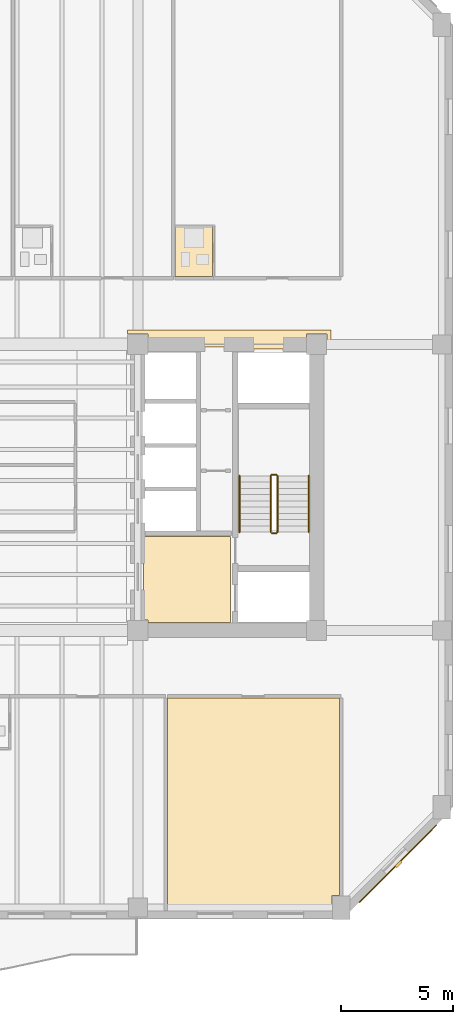
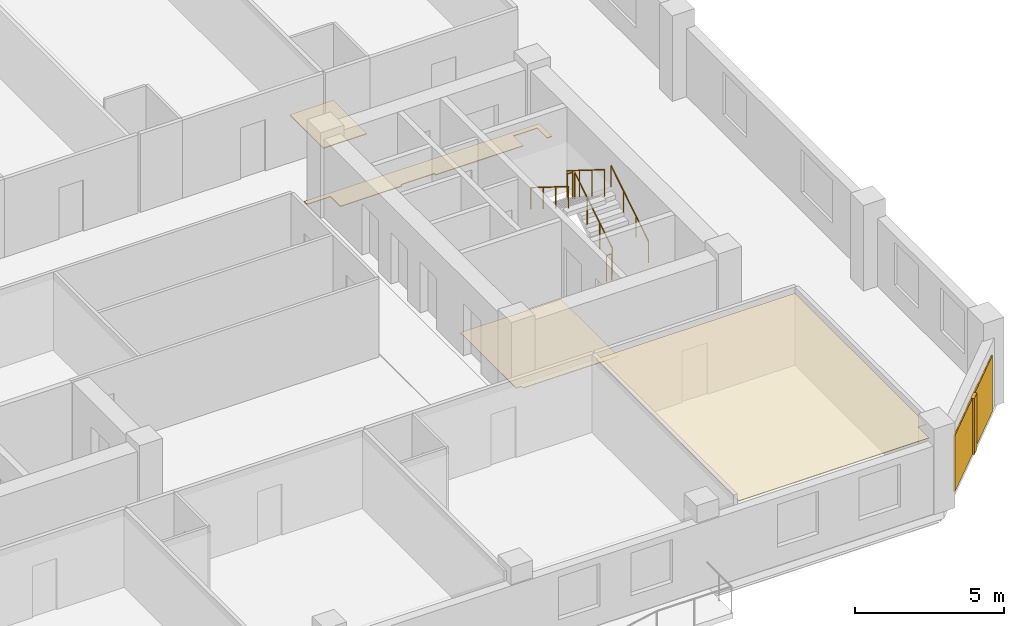
# One storey, part 9 of 11: 6 railings, 5 coverings, 1 shading device.
"""IFC4 building model written with IfcOpenShell, lengths in metres."""

import ifcopenshell
import ifcopenshell.guid

model = None  # the IFC model being written
_history = None  # IfcOwnerHistory: only IFC2X3 demands one
_inside = {}  # id of a spatial element -> (the spatial element, [elements in it])
_under = {}  # id of a project, library or spatial element -> (it, [spatial elements below it])
_declared = {}  # id of a project -> (the project, [libraries it declares])
_typed = {}  # id of a type object -> (the type object, [elements of that type])
_made_of = {}  # id of a material, layer set ... -> (it, [elements and type objects made of it])


def new_model(schema):
    """Start an empty IFC model of exactly this schema.

    Asked for "IFC4X3", IfcOpenShell would pick the latest addendum, in which some entities
    have other attributes; the version numbers below select the first issue.
    IFC2X3 requires an IfcOwnerHistory on every rooted entity: one is made here for all.
    """
    global model, _history
    if schema == "IFC4X3":
        model = ifcopenshell.file(schema_version=(4, 3, 0, 0))
    else:
        model = ifcopenshell.file(schema=schema)
    _inside.clear()
    _under.clear()
    _declared.clear()
    _typed.clear()
    _made_of.clear()
    _history = None
    if model.schema == "IFC2X3":
        org = make("IfcOrganization", Name="unknown")
        user = make(
            "IfcPersonAndOrganization",
            ThePerson=make("IfcPerson", FamilyName="unknown"),
            TheOrganization=org,
        )
        app = make(
            "IfcApplication",
            ApplicationDeveloper=org,
            Version="unknown",
            ApplicationFullName="unknown",
            ApplicationIdentifier="unknown",
        )
        _history = make(
            "IfcOwnerHistory",
            OwningUser=user,
            OwningApplication=app,
            ChangeAction="ADDED",
            CreationDate=0,
        )
    return model


def make(cls, **values):
    """One entity of the class cls with the attributes given. An attribute that is None is left unset."""
    return model.create_entity(
        cls, **{name: value for name, value in values.items() if value is not None}
    )


def rooted(cls, **values):
    """An entity with a GlobalId (a new one), such as an element, a storey or a relation."""
    return make(cls, GlobalId=ifcopenshell.guid.new(), OwnerHistory=_history, **values)


def si_unit(unit_type, name, prefix=None):
    """IfcSIUnit, for example si_unit("LENGTHUNIT", "METRE", prefix="MILLI")."""
    return make("IfcSIUnit", UnitType=unit_type, Prefix=prefix, Name=name)


def assignment(units):
    """IfcUnitAssignment: the units of a project."""
    return None if units is None else make("IfcUnitAssignment", Units=units)


def point(xyz):
    """IfcCartesianPoint."""
    return None if xyz is None else make("IfcCartesianPoint", Coordinates=xyz)


def direction(xyz):
    """IfcDirection."""
    return None if xyz is None else make("IfcDirection", DirectionRatios=xyz)


def frame(location, z_axis=None, x_axis=None):
    """IfcAxis2Placement3D, a coordinate frame: its origin and axes. An axis left out is left unset."""
    return make(
        "IfcAxis2Placement3D",
        Location=point(location),
        Axis=direction(z_axis),
        RefDirection=direction(x_axis),
    )


def frame_2d(location, x_axis=None):
    """IfcAxis2Placement2D, a coordinate frame in the plane: its origin and x axis."""
    return make(
        "IfcAxis2Placement2D", Location=point(location), RefDirection=direction(x_axis)
    )


def origin():
    """The frame at (0, 0, 0) with its axes left unset."""
    return frame((0.0, 0.0, 0.0))


def origin_2d():
    """The frame at (0, 0) in the plane with its x axis left unset."""
    return frame_2d((0.0, 0.0))


def place(relative_to, where):
    """IfcLocalPlacement: puts the frame where relative to a parent placement (None: the world)."""
    return make(
        "IfcLocalPlacement", PlacementRelTo=relative_to, RelativePlacement=where
    )


def context(
    kind, dimensions, precision=None, world=None, true_north=None, identifier=None
):
    """IfcGeometricRepresentationContext, for example the 3D "Model" context."""
    return make(
        "IfcGeometricRepresentationContext",
        ContextIdentifier=identifier,
        ContextType=kind,
        CoordinateSpaceDimension=dimensions,
        Precision=precision,
        WorldCoordinateSystem=world,
        TrueNorth=true_north,
    )


def subcontext(parent, identifier, kind, view, scale=None):
    """IfcGeometricRepresentationSubContext, for example "Body" below "Model"."""
    return make(
        "IfcGeometricRepresentationSubContext",
        ContextIdentifier=identifier,
        ContextType=kind,
        ParentContext=parent,
        TargetScale=scale,
        TargetView=view,
    )


def project(units=None, contexts=None):
    """IfcProject with its units and contexts."""
    return rooted(
        "IfcProject",
        Name="project",
        RepresentationContexts=contexts,
        UnitsInContext=assignment(units),
    )


def spatial(cls, under=None, at=None, **own):
    """A site, building, storey or space (cls), placed at a placement, below another one or the project."""
    s = rooted(cls, ObjectPlacement=at, **own)
    if under is not None:
        _under.setdefault(under.id(), (under, []))[1].append(s)
    return s


def polyline(points):
    """IfcPolyline through the points."""
    return make("IfcPolyline", Points=[point(p) for p in points])


def profile(cls, at=None, kind="AREA", **sizes):
    """A parametric profile (cls). Its sizes go by their IFC names, for example OverallWidth=200.0."""
    return make(cls, ProfileType=kind, Position=at, **sizes)


def rectangle(**sizes):
    """IfcRectangleProfileDef."""
    return profile("IfcRectangleProfileDef", **sizes)


def circle(**sizes):
    """IfcCircleProfileDef."""
    return profile("IfcCircleProfileDef", **sizes)


def outline(outer, holes=None, kind="AREA"):
    """IfcArbitraryClosedProfileDef: a profile drawn as a closed curve; with holes, ...WithVoids."""
    if holes is None:
        return make("IfcArbitraryClosedProfileDef", ProfileType=kind, OuterCurve=outer)
    return make(
        "IfcArbitraryProfileDefWithVoids",
        ProfileType=kind,
        OuterCurve=outer,
        InnerCurves=holes,
    )


def extrude(swept, where, along, depth):
    """IfcExtrudedAreaSolid: the profile swept, set in the frame where, extruded along a direction by depth."""
    return make(
        "IfcExtrudedAreaSolid",
        SweptArea=swept,
        Position=where,
        ExtrudedDirection=direction(along),
        Depth=depth,
    )


def shape(context_of_items, identifier, shape_type, items):
    """IfcShapeRepresentation: the items that make up one representation, for example the "Body"."""
    return make(
        "IfcShapeRepresentation",
        ContextOfItems=context_of_items,
        RepresentationIdentifier=identifier,
        RepresentationType=shape_type,
        Items=items,
    )


def material(Name=None, Category=None):
    """IfcMaterial."""
    return make("IfcMaterial", Name=Name, Category=Category)


def layer(
    of_material, thickness, ventilated=None, Name=None, Category=None, Priority=None
):
    """IfcMaterialLayer: one layer of a wall or slab, of a material (None: an air gap)."""
    return make(
        "IfcMaterialLayer",
        Material=of_material,
        LayerThickness=thickness,
        IsVentilated=ventilated,
        Name=Name,
        Category=Category,
        Priority=Priority,
    )


def layer_set(layers, Name=None):
    """IfcMaterialLayerSet."""
    return make("IfcMaterialLayerSet", MaterialLayers=layers, LayerSetName=Name)


def made_of(thing, what):
    """Note that an element or type object is made of a material, layer set ...; save() writes the relation."""
    if what is not None:
        _made_of.setdefault(what.id(), (what, []))[1].append(thing)
    return thing


def type_object(cls, material=None, **own):
    """A type object (cls), such as IfcWallType, which elements share."""
    return made_of(rooted(cls, **own), material)


def element(
    cls,
    number,
    at=None,
    inside=None,
    cuts=None,
    type_object=None,
    material=None,
    context=None,
    identifier="Body",
    shape_type=None,
    held_by="IfcProductDefinitionShape",
    body=None,
    shapes=None,
    **own,
):
    """One element of the class cls, such as IfcWall. Its Tag is "e" and its number.

    at: its placement. inside: the storey or other place that contains it. cuts: it is an
    opening in that element (IfcRelVoidsElement). A single representation is given by context,
    identifier, shape_type and body (its items); several are given by shapes. held_by: the class
    of the entity that holds the representations. save() writes the other relations.
    """
    e = rooted(cls, Tag="e%d" % number, ObjectPlacement=at, **own)
    if body is not None:
        shapes = [shape(context, identifier, shape_type, body)]
    if shapes is not None:
        e.Representation = make(held_by, Representations=shapes)
    if inside is not None:
        _inside.setdefault(inside.id(), (inside, []))[1].append(e)
    if cuts is not None:
        rooted(
            "IfcRelVoidsElement", RelatingBuildingElement=cuts, RelatedOpeningElement=e
        )
    if type_object is not None:
        _typed.setdefault(type_object.id(), (type_object, []))[1].append(e)
    return made_of(e, material)


def aggregate(whole, parts):
    """IfcRelAggregates: a whole, such as a stair, and the parts it consists of."""
    return rooted("IfcRelAggregates", RelatingObject=whole, RelatedObjects=parts)


def save(model, path):
    """Write the relations noted so far, then the file.

    IfcRelAggregates (storeys below a building ...), IfcRelContainedInSpatialStructure (elements
    in a storey), IfcRelDefinesByType, IfcRelAssociatesMaterial and IfcRelDeclares: one each for
    every whole, place, type object, material and project.
    """
    for whole, parts in _under.values():
        aggregate(whole, parts)
    for where, things in _inside.values():
        rooted(
            "IfcRelContainedInSpatialStructure",
            RelatedElements=things,
            RelatingStructure=where,
        )
    for kind, things in _typed.values():
        rooted("IfcRelDefinesByType", RelatedObjects=things, RelatingType=kind)
    for what, things in _made_of.values():
        rooted("IfcRelAssociatesMaterial", RelatedObjects=things, RelatingMaterial=what)
    for by, libraries in _declared.values():
        rooted("IfcRelDeclares", RelatingContext=by, RelatedDefinitions=libraries)
    model.write(path)


model = new_model("IFC4")

# Units and contexts
model_context = context("Model", 3, precision=1e-05, world=origin(), true_north=direction((0.0, 1.0)))
body_context = subcontext(model_context, "Body", "Model", "MODEL_VIEW")
ifc_project = project(units=[si_unit("LENGTHUNIT", "METRE"), si_unit("AREAUNIT", "SQUARE_METRE"), si_unit("VOLUMEUNIT", "CUBIC_METRE"), si_unit("PLANEANGLEUNIT", "RADIAN"), si_unit("MASSUNIT", "GRAM", prefix="KILO")], contexts=[model_context])

# Site, building, storey
site_placement = place(None, origin())
site = spatial("IfcSite", under=ifc_project, at=site_placement, CompositionType="ELEMENT")
building_placement = place(site_placement, origin())
building = spatial("IfcBuilding", under=site, at=building_placement, Name="Kranthara Brick Stack", CompositionType="ELEMENT")
storey_placement = place(building_placement, frame((0.0, 0.0, 190.300048828125)))
storey = spatial("IfcBuildingStorey", under=building, at=storey_placement, Name="L49", CompositionType="ELEMENT", Elevation=190.300048828125)

# Coverings
ifc_material_1 = material(Name="Perforated mineral-fibre acoustic ceiling tile", Category="other")
ifc_layer_1 = layer(ifc_material_1, 0.02490234375)
ifc_layer_set_1 = layer_set([ifc_layer_1], Name="Perforated mineral-fibre acoustic ceiling tile")
covering_type_1 = type_object("IfcCoveringType", Name="COV-CEIL-ACOUSTIC", PredefinedType="CEILING", material=ifc_layer_set_1)
covering_1_placement = place(storey_placement, frame((0.0, 0.0, 2.929931640625)))
element("IfcCovering", 1, at=covering_1_placement, inside=storey, type_object=covering_type_1, Name="L49 L49 Guest Sky Lounge 4 Acoustic Ceiling", PredefinedType="CEILING", context=body_context, shape_type="SweptSolid", body=[
    extrude(outline(polyline([(36.52587890625, 8.199951171875), (36.52587890625, 17.77001953125), (44.219970703125, 17.77001953125), (44.219970703125, 8.93505859375), (43.889892578125, 8.93505859375), (43.889892578125, 8.199951171875), (36.52587890625, 8.199951171875)])), origin(), (0.0, 0.0, 1.0), 0.02490234375),
])
ifc_material_2 = material(Name="Warm buff kiln-fired brick slip rainscreen", Category="masonry")
ifc_layer_2 = layer(ifc_material_2, 0.044921875)
ifc_layer_set_2 = layer_set([ifc_layer_2], Name="Warm buff kiln-fired brick slip rainscreen")
covering_type_2 = type_object("IfcCoveringType", Name="COV-CLAD-BRICK", PredefinedType="CLADDING", material=ifc_layer_set_2)
covering_2_placement = place(storey_placement, frame((46.84033203125, 10.359619140625, 0.0498046875), z_axis=(0.0, 0.0, 1.0), x_axis=(-0.707106781187, -0.707106781187, 0.0)))
element("IfcCovering", 2, at=covering_2_placement, inside=storey, type_object=covering_type_2, Name="L49 Chamfer Brick Rainscreen Cladding SE", PredefinedType="CLADDING", context=body_context, shape_type="SweptSolid", body=[
    extrude(rectangle(XDim=4.89306640625, YDim=0.044921875, at=origin_2d()), origin(), (0.0, 0.0, 1.0), 2.300048828125),
])
ifc_material_3 = material(Name="Honed terrazzo and porcelain floor finish", Category="stone")
ifc_layer_3 = layer(ifc_material_3, 0.030029296875)
ifc_layer_set_3 = layer_set([ifc_layer_3], Name="Honed terrazzo and porcelain floor finish")
covering_type_3 = type_object("IfcCoveringType", Name="COV-FLOR-STONE", PredefinedType="FLOORING", material=ifc_layer_set_3)
covering_3_placement = place(storey_placement, origin())
element("IfcCovering", 3, at=covering_3_placement, inside=storey, type_object=covering_type_3, Name="L49 Lift Lobby Stone Flooring", PredefinedType="FLOORING", context=body_context, shape_type="SweptSolid", body=[
    extrude(outline(polyline([(35.449951171875, 25.0), (39.35009765625, 25.0), (39.35009765625, 21.14990234375), (35.659912109375, 21.14990234375), (35.659912109375, 21.260009765625), (35.449951171875, 21.260009765625), (35.449951171875, 25.0)])), origin(), (0.0, 0.0, 1.0), 0.030029296875),
])
covering_4_placement = place(storey_placement, origin())
element("IfcCovering", 4, at=covering_4_placement, inside=storey, type_object=covering_type_3, Name="L49 Lift Lobby Stone Flooring", PredefinedType="FLOORING", context=body_context, shape_type="SweptSolid", body=[
    extrude(outline(polyline([(43.659912109375, 33.39990234375), (43.659912109375, 34.06005859375), (42.739990234375, 34.06005859375), (42.739990234375, 33.39990234375), (39.35009765625, 33.39990234375), (39.35009765625, 33.47998046875), (38.050048828125, 33.47998046875), (38.050048828125, 33.39990234375), (35.659912109375, 33.39990234375), (35.659912109375, 34.06005859375), (34.75, 34.06005859375), (34.75, 34.25), (43.85009765625, 34.25), (43.85009765625, 33.39990234375), (43.659912109375, 33.39990234375)])), origin(), (0.0, 0.0, 1.0), 0.030029296875),
])
covering_5_placement = place(storey_placement, origin())
element("IfcCovering", 5, at=covering_5_placement, inside=storey, type_object=covering_type_3, Name="L49 Wet Room Porcelain Flooring", PredefinedType="FLOORING", context=body_context, shape_type="SweptSolid", body=[
    extrude(outline(polyline([(36.866943359375, 36.6298828125), (36.866943359375, 38.8798828125), (38.550048828125, 38.8798828125), (38.550048828125, 36.6298828125), (36.866943359375, 36.6298828125)])), origin(), (0.0, 0.0, 1.0), 0.030029296875),
])

# Railings
ifc_material_4 = material(Name="Painted galvanized steel stair guardrail", Category="steel")
railing_type_1 = type_object("IfcRailingType", Name="RL-STAIR-GUARD-1100", PredefinedType="GUARDRAIL", material=ifc_material_4)
railing_1_placement = place(storey_placement, frame((41.449951171875, 25.199951171875, 0.175048828125)))
element("IfcRailing", 6, at=railing_1_placement, inside=storey, type_object=railing_type_1, Name="L49 ST02 stair guard 1", PredefinedType="GUARDRAIL", context=body_context, shape_type="SweptSolid", body=[
    extrude(circle(Radius=0.02392578125, at=origin_2d()), frame((0.0, 0.0, 1.076171875), z_axis=(0.0, 0.848007534815, 0.529984170421), x_axis=(-1.0, 0.0, 0.0)), (0.0, 0.0, 1.0), 2.9716796875),
    extrude(circle(Radius=0.02099609375, at=origin_2d()), origin(), (0.0, 0.0, 1.0), 1.052001953125),
    extrude(circle(Radius=0.02099609375, at=origin_2d()), frame((0.0, 0.840087890625, 0.52490234375)), (0.0, 0.0, 1.0), 1.052001953125),
    extrude(circle(Radius=0.02099609375, at=origin_2d()), frame((0.0, 1.679931640625, 1.050048828125)), (0.0, 0.0, 1.0), 1.052001953125),
    extrude(circle(Radius=0.02099609375, at=origin_2d()), frame((0.0, 2.52001953125, 1.574951171875)), (0.0, 0.0, 1.0), 1.052001953125),
])
railing_2_placement = place(storey_placement, frame((41.39990234375, 27.77001953125, 1.75)))
element("IfcRailing", 7, at=railing_2_placement, inside=storey, type_object=railing_type_1, Name="L49 ST02 stair guard 2", PredefinedType="GUARDRAIL", context=body_context, shape_type="SweptSolid", body=[
    extrude(circle(Radius=0.02392578125, at=origin_2d()), frame((0.0, 0.0, 1.076171875), z_axis=(-1.0, 0.0, 0.0), x_axis=(0.0, -1.0, 0.0)), (0.0, 0.0, 1.0), 0.199951171875),
    extrude(circle(Radius=0.02099609375, at=origin_2d()), origin(), (0.0, 0.0, 1.0), 1.052001953125),
    extrude(circle(Radius=0.02099609375, at=origin_2d()), frame((-0.199951171875, 0.0, 0.0)), (0.0, 0.0, 1.0), 1.052001953125),
])
railing_3_placement = place(storey_placement, frame((41.14990234375, 27.719970703125, 1.925048828125)))
element("IfcRailing", 8, at=railing_3_placement, inside=storey, type_object=railing_type_1, Name="L49 ST02 stair guard 3", PredefinedType="GUARDRAIL", context=body_context, shape_type="SweptSolid", body=[
    extrude(circle(Radius=0.02392578125, at=origin_2d()), frame((0.0, 0.0, 1.076171875), z_axis=(0.0, -0.848007534815, 0.529984170421), x_axis=(1.0, 0.0, 0.0)), (0.0, 0.0, 1.0), 2.9716796875),
    extrude(circle(Radius=0.02099609375, at=origin_2d()), origin(), (0.0, 0.0, 1.0), 1.052001953125),
    extrude(circle(Radius=0.02099609375, at=origin_2d()), frame((0.0, -0.840087890625, 0.52490234375)), (0.0, 0.0, 1.0), 1.052001953125),
    extrude(circle(Radius=0.02099609375, at=origin_2d()), frame((0.0, -1.679931640625, 1.050048828125)), (0.0, 0.0, 1.0), 1.052001953125),
    extrude(circle(Radius=0.02099609375, at=origin_2d()), frame((0.0, -2.52001953125, 1.574951171875)), (0.0, 0.0, 1.0), 1.052001953125),
])
railing_4_placement = place(storey_placement, frame((41.39990234375, 25.14990234375, 0.0)))
element("IfcRailing", 9, at=railing_4_placement, inside=storey, type_object=railing_type_1, Name="L49 ST02 stair guard 4", PredefinedType="GUARDRAIL", context=body_context, shape_type="SweptSolid", body=[
    extrude(circle(Radius=0.02392578125, at=origin_2d()), frame((0.0, 0.0, 1.076171875), z_axis=(-1.0, 0.0, 0.0), x_axis=(0.0, -1.0, 0.0)), (0.0, 0.0, 1.0), 0.199951171875),
    extrude(circle(Radius=0.02099609375, at=origin_2d()), origin(), (0.0, 0.0, 1.0), 1.052001953125),
    extrude(circle(Radius=0.02099609375, at=origin_2d()), frame((-0.199951171875, 0.0, 0.0)), (0.0, 0.0, 1.0), 1.052001953125),
])
ifc_material_5 = material(Name="Brushed stainless steel tubular handrail", Category="steel")
railing_type_2 = type_object("IfcRailingType", Name="RL-STAIR-HAND-900", PredefinedType="HANDRAIL", material=ifc_material_5)
railing_5_placement = place(storey_placement, frame((42.85009765625, 25.199951171875, 0.175048828125)))
element("IfcRailing", 10, at=railing_5_placement, inside=storey, type_object=railing_type_2, Name="L49 ST02 stair handrail 1", PredefinedType="HANDRAIL", context=body_context, shape_type="SweptSolid", body=[
    extrude(circle(Radius=0.02392578125, at=origin_2d()), frame((0.0, 0.0, 0.8759765625), z_axis=(0.0, 0.848007534815, 0.529984170421), x_axis=(-1.0, 0.0, 0.0)), (0.0, 0.0, 1.0), 2.9716796875),
    extrude(circle(Radius=0.02099609375, at=origin_2d()), origin(), (0.0, 0.0, 1.0), 0.851806640625),
    extrude(circle(Radius=0.02099609375, at=origin_2d()), frame((0.0, 0.840087890625, 0.52490234375)), (0.0, 0.0, 1.0), 0.851806640625),
    extrude(circle(Radius=0.02099609375, at=origin_2d()), frame((0.0, 1.679931640625, 1.050048828125)), (0.0, 0.0, 1.0), 0.851806640625),
    extrude(circle(Radius=0.02099609375, at=origin_2d()), frame((0.0, 2.52001953125, 1.574951171875)), (0.0, 0.0, 1.0), 0.851806640625),
])
railing_6_placement = place(storey_placement, frame((39.75, 27.719970703125, 1.925048828125)))
element("IfcRailing", 11, at=railing_6_placement, inside=storey, type_object=railing_type_2, Name="L49 ST02 stair handrail 2", PredefinedType="HANDRAIL", context=body_context, shape_type="SweptSolid", body=[
    extrude(circle(Radius=0.02392578125, at=origin_2d()), frame((0.0, 0.0, 0.8759765625), z_axis=(0.0, -0.848007534815, 0.529984170421), x_axis=(1.0, 0.0, 0.0)), (0.0, 0.0, 1.0), 2.9716796875),
    extrude(circle(Radius=0.02099609375, at=origin_2d()), origin(), (0.0, 0.0, 1.0), 0.851806640625),
    extrude(circle(Radius=0.02099609375, at=origin_2d()), frame((0.0, -0.840087890625, 0.52490234375)), (0.0, 0.0, 1.0), 0.851806640625),
    extrude(circle(Radius=0.02099609375, at=origin_2d()), frame((0.0, -1.679931640625, 1.050048828125)), (0.0, 0.0, 1.0), 0.851806640625),
    extrude(circle(Radius=0.02099609375, at=origin_2d()), frame((0.0, -2.52001953125, 1.574951171875)), (0.0, 0.0, 1.0), 0.851806640625),
])

# Shading device
ifc_material_6 = material(Name="Kiln-fired terracotta aerodynamic wind fin", Category="masonry")
shading_device_type = type_object("IfcShadingDeviceType", Name="SHD-BAFFLE-CORNER", PredefinedType="SHUTTER", material=ifc_material_6)
shading_device_placement = place(storey_placement, frame((46.861572265625, 10.33837890625, 0.0498046875), z_axis=(0.0, 0.0, 1.0), x_axis=(-0.707106781187, -0.707106781187, 0.0)))
element("IfcShadingDevice", 12, at=shading_device_placement, inside=storey, type_object=shading_device_type, Name="L49 Chamfer Wind-Baffle Fin SE", PredefinedType="SHUTTER", context=body_context, shape_type="SweptSolid", body=[
    extrude(rectangle(XDim=0.35009765625, YDim=0.1201171875, at=origin_2d()), origin(), (0.0, 0.0, 1.0), 2.300048828125),
])

save(model, "model.ifc")
